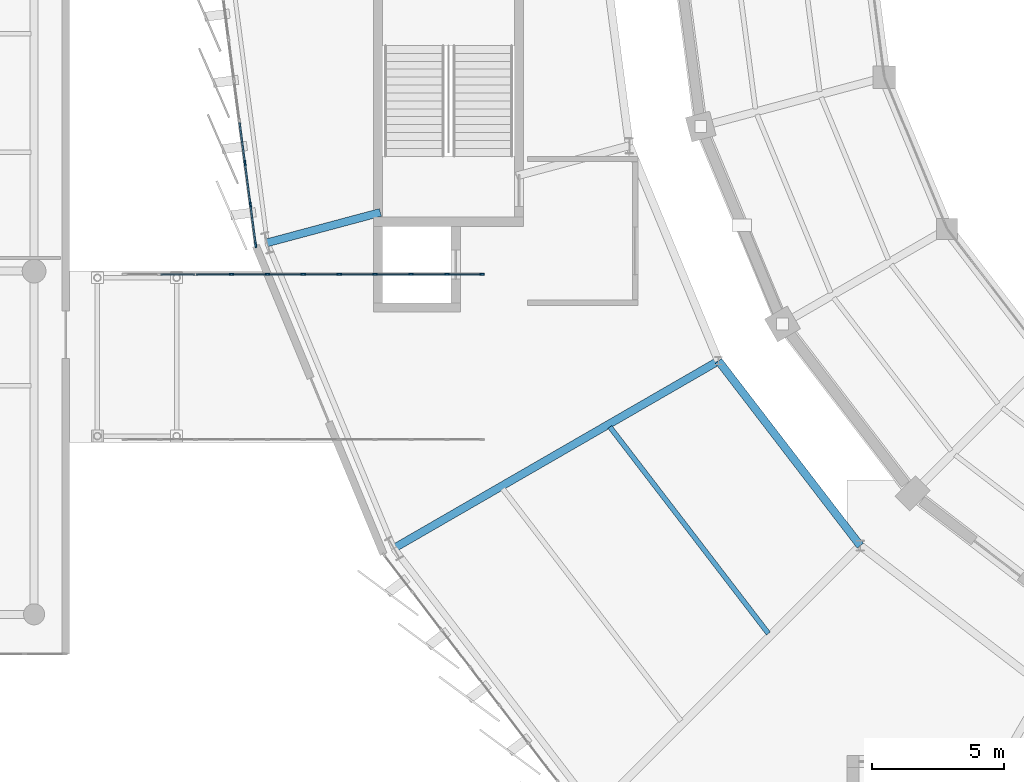
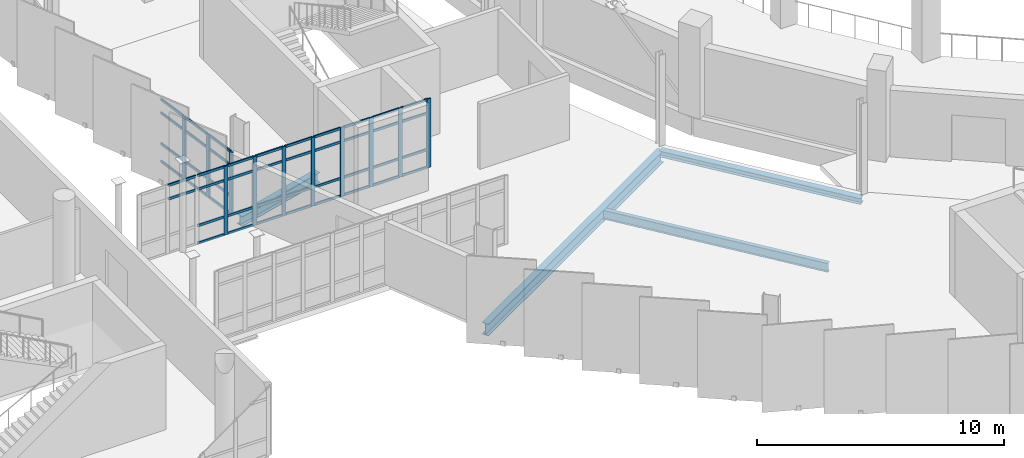
# One storey, part 32 of 125: 57 members, 4 beams, 2 elements without a shape of their own.
"""IFC4 building model written with IfcOpenShell, lengths in metres."""

from ifc_helpers import new_model, si_unit, direction, frame, origin, origin_2d, place, context, subcontext, project, spatial, rectangle, i_section, extrude, material, layer, layer_set, material_profile, profile_set, type_object, element, aggregate, save


model = new_model("IFC4")

# Units and contexts
model_context = context("Model", 3, precision=1e-05, world=origin(), true_north=direction((0.0, 1.0)))
body_context = subcontext(model_context, "Body", "Model", "MODEL_VIEW")
ifc_project = project(units=[si_unit("LENGTHUNIT", "METRE"), si_unit("AREAUNIT", "SQUARE_METRE"), si_unit("VOLUMEUNIT", "CUBIC_METRE"), si_unit("PLANEANGLEUNIT", "RADIAN"), si_unit("MASSUNIT", "GRAM", prefix="KILO")], contexts=[model_context])

# Site, building, storey
site_placement = place(None, origin())
site = spatial("IfcSite", under=ifc_project, at=site_placement, CompositionType="ELEMENT")
building_placement = place(site_placement, origin())
building = spatial("IfcBuilding", under=site, at=building_placement, Name="Sohan Crest Arena", CompositionType="ELEMENT")
storey_placement = place(building_placement, frame((0.0, 0.0, 9.0)))
storey = spatial("IfcBuildingStorey", under=building, at=storey_placement, Name="L02", CompositionType="ELEMENT", Elevation=9.0)

# Curtain wall, members
ifc_material_1 = material(Name="Thermally broken anodised aluminium", Category="aluminium")
ifc_layer_1 = layer(ifc_material_1, 0.18994140625, Name="Thermally broken anodised aluminium")
ifc_layer_set_1 = layer_set([ifc_layer_1], Name="Thermally broken anodised aluminium")
curtain_wall_type_1 = type_object("IfcCurtainWallType", Name="ARC-CW05", PredefinedType="NOTDEFINED", material=ifc_layer_set_1)
curtain_wall_1_placement = place(storey_placement, origin())
curtain_wall_1 = element("IfcCurtainWall", 1, at=curtain_wall_1_placement, inside=storey, type_object=curtain_wall_type_1, Name="Unitised curtain wall CW-228", PredefinedType="NOTDEFINED")
ifc_material_profile_1 = material_profile(ifc_material_1, rectangle(XDim=0.06494140625, YDim=0.179931640625, at=origin_2d()), Name="ALU-MULL 65x180")
ifc_profile_set_1 = profile_set([ifc_material_profile_1], Name="Thermally broken anodised aluminium")
member_type_1 = type_object("IfcMemberType", Name="ARC-CW-ML02", PredefinedType="MULLION", material=ifc_profile_set_1)
member_1_placement = place(storey_placement, frame((50.280029296875, 64.3798828125, 0.0), z_axis=(0.0, 0.0, 1.0), x_axis=(0.0, 1.0, 0.0)))
member_1 = element("IfcMember", 2, at=member_1_placement, type_object=member_type_1, Name="CW-228 mullion 4", PredefinedType="MULLION", context=body_context, shape_type="SweptSolid", body=[
    extrude(rectangle(XDim=0.06494140625, YDim=0.179931640625, at=origin_2d()), origin(), (0.0, 0.0, 1.0), 3.39990234375),
])
member_2_placement = place(storey_placement, frame((51.639892578125, 64.3798828125, 0.0), z_axis=(0.0, 0.0, 1.0), x_axis=(0.0, 1.0, 0.0)))
member_2 = element("IfcMember", 3, at=member_2_placement, type_object=member_type_1, Name="CW-228 mullion 5", PredefinedType="MULLION", context=body_context, shape_type="SweptSolid", body=[
    extrude(rectangle(XDim=0.06494140625, YDim=0.179931640625, at=origin_2d()), origin(), (0.0, 0.0, 1.0), 3.39990234375),
])
member_3_placement = place(storey_placement, frame((53.0, 64.3798828125, 0.0), z_axis=(0.0, 0.0, 1.0), x_axis=(0.0, 1.0, 0.0)))
member_3 = element("IfcMember", 4, at=member_3_placement, type_object=member_type_1, Name="CW-228 mullion 6", PredefinedType="MULLION", context=body_context, shape_type="SweptSolid", body=[
    extrude(rectangle(XDim=0.06494140625, YDim=0.179931640625, at=origin_2d()), origin(), (0.0, 0.0, 1.0), 3.39990234375),
])
member_4_placement = place(storey_placement, frame((54.360107421875, 64.3798828125, 0.0), z_axis=(0.0, 0.0, 1.0), x_axis=(0.0, 1.0, 0.0)))
member_4 = element("IfcMember", 5, at=member_4_placement, type_object=member_type_1, Name="CW-228 mullion 7", PredefinedType="MULLION", context=body_context, shape_type="SweptSolid", body=[
    extrude(rectangle(XDim=0.06494140625, YDim=0.179931640625, at=origin_2d()), origin(), (0.0, 0.0, 1.0), 3.39990234375),
])
member_5_placement = place(storey_placement, frame((55.719970703125, 64.3798828125, 0.0), z_axis=(0.0, 0.0, 1.0), x_axis=(0.0, 1.0, 0.0)))
member_5 = element("IfcMember", 6, at=member_5_placement, type_object=member_type_1, Name="CW-228 mullion 8", PredefinedType="MULLION", context=body_context, shape_type="SweptSolid", body=[
    extrude(rectangle(XDim=0.06494140625, YDim=0.179931640625, at=origin_2d()), origin(), (0.0, 0.0, 1.0), 3.39990234375),
])
member_6_placement = place(storey_placement, frame((57.080078125, 64.3798828125, 0.0), z_axis=(0.0, 0.0, 1.0), x_axis=(0.0, 1.0, 0.0)))
member_6 = element("IfcMember", 7, at=member_6_placement, type_object=member_type_1, Name="CW-228 mullion 9", PredefinedType="MULLION", context=body_context, shape_type="SweptSolid", body=[
    extrude(rectangle(XDim=0.06494140625, YDim=0.179931640625, at=origin_2d()), origin(), (0.0, 0.0, 1.0), 3.39990234375),
])
member_7_placement = place(storey_placement, frame((58.43994140625, 64.3798828125, 0.0), z_axis=(0.0, 0.0, 1.0), x_axis=(0.0, 1.0, 0.0)))
member_7 = element("IfcMember", 8, at=member_7_placement, type_object=member_type_1, Name="CW-228 mullion 10", PredefinedType="MULLION", context=body_context, shape_type="SweptSolid", body=[
    extrude(rectangle(XDim=0.06494140625, YDim=0.179931640625, at=origin_2d()), origin(), (0.0, 0.0, 1.0), 3.39990234375),
])
member_8_placement = place(storey_placement, frame((59.767578125, 64.3798828125, 0.0), z_axis=(0.0, 0.0, 1.0), x_axis=(0.0, 1.0, 0.0)))
member_8 = element("IfcMember", 9, at=member_8_placement, type_object=member_type_1, Name="CW-228 mullion 11", PredefinedType="MULLION", context=body_context, shape_type="SweptSolid", body=[
    extrude(rectangle(XDim=0.06494140625, YDim=0.179931640625, at=origin_2d()), origin(), (0.0, 0.0, 1.0), 3.39990234375),
])

ifc_layer_2 = layer(ifc_material_1, 0.179931640625, Name="Thermally broken anodised aluminium")
ifc_layer_set_2 = layer_set([ifc_layer_2], Name="Thermally broken anodised aluminium")
curtain_wall_type_2 = type_object("IfcCurtainWallType", Name="ARC-CW01", PredefinedType="NOTDEFINED", material=ifc_layer_set_2)
curtain_wall_2_placement = place(storey_placement, origin())
curtain_wall_2 = element("IfcCurtainWall", 10, at=curtain_wall_2_placement, inside=storey, type_object=curtain_wall_type_2, Name="Unitised curtain wall CW-055", PredefinedType="NOTDEFINED")
ifc_material_profile_2 = material_profile(ifc_material_1, rectangle(XDim=0.070068359375, YDim=0.199951171875, at=origin_2d()), Name="ALU-MULL 70x200")
ifc_profile_set_2 = profile_set([ifc_material_profile_2], Name="Thermally broken anodised aluminium")
member_type_2 = type_object("IfcMemberType", Name="ARC-CW-ML03", PredefinedType="MULLION", material=ifc_profile_set_2)
member_9_placement = place(storey_placement, frame((50.788330078125, 68.594970703125, 0.0), z_axis=(0.0, 0.0, 1.0), x_axis=(0.991444066575, 0.130532229177, 0.0)))
member_9 = element("IfcMember", 11, at=member_9_placement, type_object=member_type_2, Name="CW-055 mullion 7", PredefinedType="MULLION", context=body_context, shape_type="SweptSolid", body=[
    extrude(rectangle(XDim=0.070068359375, YDim=0.199951171875, at=origin_2d()), origin(), (0.0, 0.0, 1.0), 3.1201171875),
])
member_10_placement = place(storey_placement, frame((50.99462890625, 67.027587890625, 0.0), z_axis=(0.0, 0.0, 1.0), x_axis=(0.991444066575, 0.130532229177, 0.0)))
member_10 = element("IfcMember", 12, at=member_10_placement, type_object=member_type_2, Name="CW-055 mullion 8", PredefinedType="MULLION", context=body_context, shape_type="SweptSolid", body=[
    extrude(rectangle(XDim=0.070068359375, YDim=0.199951171875, at=origin_2d()), origin(), (0.0, 0.0, 1.0), 3.1201171875),
])
member_11_placement = place(storey_placement, frame((51.196533203125, 65.49462890625, 0.0), z_axis=(0.0, 0.0, 1.0), x_axis=(0.991444066575, 0.130532229177, 0.0)))
member_11 = element("IfcMember", 13, at=member_11_placement, type_object=member_type_2, Name="CW-055 mullion 9", PredefinedType="MULLION", context=body_context, shape_type="SweptSolid", body=[
    extrude(rectangle(XDim=0.070068359375, YDim=0.199951171875, at=origin_2d()), origin(), (0.0, 0.0, 1.0), 3.1201171875),
])
ifc_material_profile_3 = material_profile(ifc_material_1, rectangle(XDim=0.06005859375, YDim=0.1201171875, at=origin_2d()), Name="ALU-TRAN 60x120")
ifc_profile_set_3 = profile_set([ifc_material_profile_3], Name="Thermally broken anodised aluminium")
member_type_3 = type_object("IfcMemberType", Name="ARC-CW-TR01", PredefinedType="USERDEFINED", material=ifc_profile_set_3)
member_12_placement = place(storey_placement, frame((50.58642578125, 70.127685546875, 0.030029296875), z_axis=(0.1305548243, -0.991441091468, 0.0), x_axis=(0.991441091468, 0.1305548243, 0.0)))
member_12 = element("IfcMember", 14, at=member_12_placement, type_object=member_type_3, Name="CW-055 transom 6.1", ObjectType="TRANSOM", PredefinedType="USERDEFINED", context=body_context, shape_type="SweptSolid", body=[
    extrude(rectangle(XDim=0.06005859375, YDim=0.1201171875, at=origin_2d()), origin(), (0.0, 0.0, 1.0), 1.510986328125),
])
member_13_placement = place(storey_placement, frame((50.58642578125, 70.127685546875, 0.89990234375), z_axis=(0.1305548243, -0.991441091468, 0.0), x_axis=(0.991441091468, 0.1305548243, 0.0)))
member_13 = element("IfcMember", 15, at=member_13_placement, type_object=member_type_3, Name="CW-055 transom 6.2", ObjectType="TRANSOM", PredefinedType="USERDEFINED", context=body_context, shape_type="SweptSolid", body=[
    extrude(rectangle(XDim=0.06005859375, YDim=0.1201171875, at=origin_2d()), origin(), (0.0, 0.0, 1.0), 1.510986328125),
])
member_14_placement = place(storey_placement, frame((50.58642578125, 70.127685546875, 2.419921875), z_axis=(0.1305548243, -0.991441091468, 0.0), x_axis=(0.991441091468, 0.1305548243, 0.0)))
member_14 = element("IfcMember", 16, at=member_14_placement, type_object=member_type_3, Name="CW-055 transom 6.3", ObjectType="TRANSOM", PredefinedType="USERDEFINED", context=body_context, shape_type="SweptSolid", body=[
    extrude(rectangle(XDim=0.06005859375, YDim=0.1201171875, at=origin_2d()), origin(), (0.0, 0.0, 1.0), 1.510986328125),
])
member_15_placement = place(storey_placement, frame((50.58642578125, 70.127685546875, 3.090087890625), z_axis=(0.1305548243, -0.991441091468, 0.0), x_axis=(0.991441091468, 0.1305548243, 0.0)))
member_15 = element("IfcMember", 17, at=member_15_placement, type_object=member_type_3, Name="CW-055 transom 6.4", ObjectType="TRANSOM", PredefinedType="USERDEFINED", context=body_context, shape_type="SweptSolid", body=[
    extrude(rectangle(XDim=0.06005859375, YDim=0.1201171875, at=origin_2d()), origin(), (0.0, 0.0, 1.0), 1.510986328125),
])
member_16_placement = place(storey_placement, frame((50.792724609375, 68.560302734375, 0.030029296875), z_axis=(0.1305548243, -0.991441091468, 0.0), x_axis=(0.991441091468, 0.1305548243, 0.0)))
member_16 = element("IfcMember", 18, at=member_16_placement, type_object=member_type_3, Name="CW-055 transom 7.1", ObjectType="TRANSOM", PredefinedType="USERDEFINED", context=body_context, shape_type="SweptSolid", body=[
    extrude(rectangle(XDim=0.06005859375, YDim=0.1201171875, at=origin_2d()), origin(), (0.0, 0.0, 1.0), 1.510986328125),
])
member_17_placement = place(storey_placement, frame((50.792724609375, 68.560302734375, 0.89990234375), z_axis=(0.1305548243, -0.991441091468, 0.0), x_axis=(0.991441091468, 0.1305548243, 0.0)))
member_17 = element("IfcMember", 19, at=member_17_placement, type_object=member_type_3, Name="CW-055 transom 7.2", ObjectType="TRANSOM", PredefinedType="USERDEFINED", context=body_context, shape_type="SweptSolid", body=[
    extrude(rectangle(XDim=0.06005859375, YDim=0.1201171875, at=origin_2d()), origin(), (0.0, 0.0, 1.0), 1.510986328125),
])
member_18_placement = place(storey_placement, frame((50.792724609375, 68.560302734375, 2.419921875), z_axis=(0.1305548243, -0.991441091468, 0.0), x_axis=(0.991441091468, 0.1305548243, 0.0)))
member_18 = element("IfcMember", 20, at=member_18_placement, type_object=member_type_3, Name="CW-055 transom 7.3", ObjectType="TRANSOM", PredefinedType="USERDEFINED", context=body_context, shape_type="SweptSolid", body=[
    extrude(rectangle(XDim=0.06005859375, YDim=0.1201171875, at=origin_2d()), origin(), (0.0, 0.0, 1.0), 1.510986328125),
])
member_19_placement = place(storey_placement, frame((50.792724609375, 68.560302734375, 3.090087890625), z_axis=(0.1305548243, -0.991441091468, 0.0), x_axis=(0.991441091468, 0.1305548243, 0.0)))
member_19 = element("IfcMember", 21, at=member_19_placement, type_object=member_type_3, Name="CW-055 transom 7.4", ObjectType="TRANSOM", PredefinedType="USERDEFINED", context=body_context, shape_type="SweptSolid", body=[
    extrude(rectangle(XDim=0.06005859375, YDim=0.1201171875, at=origin_2d()), origin(), (0.0, 0.0, 1.0), 1.510986328125),
])
member_20_placement = place(storey_placement, frame((50.999267578125, 66.992919921875, 0.030029296875), z_axis=(0.130484458705, -0.991450354802, 0.0), x_axis=(0.991450354802, 0.130484458705, 0.0)))
member_20 = element("IfcMember", 22, at=member_20_placement, type_object=member_type_3, Name="CW-055 transom 8.1", ObjectType="TRANSOM", PredefinedType="USERDEFINED", context=body_context, shape_type="SweptSolid", body=[
    extrude(rectangle(XDim=0.06005859375, YDim=0.1201171875, at=origin_2d()), origin(), (0.0, 0.0, 1.0), 1.476318359375),
])
member_21_placement = place(storey_placement, frame((50.999267578125, 66.992919921875, 0.89990234375), z_axis=(0.130484458705, -0.991450354802, 0.0), x_axis=(0.991450354802, 0.130484458705, 0.0)))
member_21 = element("IfcMember", 23, at=member_21_placement, type_object=member_type_3, Name="CW-055 transom 8.2", ObjectType="TRANSOM", PredefinedType="USERDEFINED", context=body_context, shape_type="SweptSolid", body=[
    extrude(rectangle(XDim=0.06005859375, YDim=0.1201171875, at=origin_2d()), origin(), (0.0, 0.0, 1.0), 1.476318359375),
])
member_22_placement = place(storey_placement, frame((50.999267578125, 66.992919921875, 2.419921875), z_axis=(0.130484458705, -0.991450354802, 0.0), x_axis=(0.991450354802, 0.130484458705, 0.0)))
member_22 = element("IfcMember", 24, at=member_22_placement, type_object=member_type_3, Name="CW-055 transom 8.3", ObjectType="TRANSOM", PredefinedType="USERDEFINED", context=body_context, shape_type="SweptSolid", body=[
    extrude(rectangle(XDim=0.06005859375, YDim=0.1201171875, at=origin_2d()), origin(), (0.0, 0.0, 1.0), 1.476318359375),
])
member_23_placement = place(storey_placement, frame((50.999267578125, 66.992919921875, 3.090087890625), z_axis=(0.130484458705, -0.991450354802, 0.0), x_axis=(0.991450354802, 0.130484458705, 0.0)))
member_23 = element("IfcMember", 25, at=member_23_placement, type_object=member_type_3, Name="CW-055 transom 8.4", ObjectType="TRANSOM", PredefinedType="USERDEFINED", context=body_context, shape_type="SweptSolid", body=[
    extrude(rectangle(XDim=0.06005859375, YDim=0.1201171875, at=origin_2d()), origin(), (0.0, 0.0, 1.0), 1.476318359375),
])
aggregate(curtain_wall_2, [member_9, member_10, member_11, member_12, member_13, member_14, member_15, member_16, member_17, member_18, member_19, member_20, member_21, member_22, member_23])

# Member
member_24_placement = place(storey_placement, frame((47.592529296875, 64.3798828125, 2.699951171875), z_axis=(1.0, 0.0, 0.0), x_axis=(0.0, 1.0, 0.0)))
member_24 = element("IfcMember", 26, at=member_24_placement, type_object=member_type_3, Name="CW-228 transom 2.3", ObjectType="TRANSOM", PredefinedType="USERDEFINED", context=body_context, shape_type="SweptSolid", body=[
    extrude(rectangle(XDim=0.06005859375, YDim=0.1201171875, at=origin_2d()), origin(), (0.0, 0.0, 1.0), 1.294921875),
])

member_25_placement = place(storey_placement, frame((47.592529296875, 64.3798828125, 3.3701171875), z_axis=(1.0, 0.0, 0.0), x_axis=(0.0, 1.0, 0.0)))
member_25 = element("IfcMember", 27, at=member_25_placement, type_object=member_type_3, Name="CW-228 transom 2.4", ObjectType="TRANSOM", PredefinedType="USERDEFINED", context=body_context, shape_type="SweptSolid", body=[
    extrude(rectangle(XDim=0.06005859375, YDim=0.1201171875, at=origin_2d()), origin(), (0.0, 0.0, 1.0), 1.294921875),
])

member_26_placement = place(storey_placement, frame((48.952392578125, 64.3798828125, 0.030029296875), z_axis=(1.0, 0.0, 0.0), x_axis=(0.0, 1.0, 0.0)))
member_26 = element("IfcMember", 28, at=member_26_placement, type_object=member_type_3, Name="CW-228 transom 3.1", ObjectType="TRANSOM", PredefinedType="USERDEFINED", context=body_context, shape_type="SweptSolid", body=[
    extrude(rectangle(XDim=0.06005859375, YDim=0.1201171875, at=origin_2d()), origin(), (0.0, 0.0, 1.0), 1.295166015625),
])

member_27_placement = place(storey_placement, frame((48.952392578125, 64.3798828125, 0.89990234375), z_axis=(1.0, 0.0, 0.0), x_axis=(0.0, 1.0, 0.0)))
member_27 = element("IfcMember", 29, at=member_27_placement, type_object=member_type_3, Name="CW-228 transom 3.2", ObjectType="TRANSOM", PredefinedType="USERDEFINED", context=body_context, shape_type="SweptSolid", body=[
    extrude(rectangle(XDim=0.06005859375, YDim=0.1201171875, at=origin_2d()), origin(), (0.0, 0.0, 1.0), 1.295166015625),
])

member_28_placement = place(storey_placement, frame((48.952392578125, 64.3798828125, 2.699951171875), z_axis=(1.0, 0.0, 0.0), x_axis=(0.0, 1.0, 0.0)))
member_28 = element("IfcMember", 30, at=member_28_placement, type_object=member_type_3, Name="CW-228 transom 3.3", ObjectType="TRANSOM", PredefinedType="USERDEFINED", context=body_context, shape_type="SweptSolid", body=[
    extrude(rectangle(XDim=0.06005859375, YDim=0.1201171875, at=origin_2d()), origin(), (0.0, 0.0, 1.0), 1.295166015625),
])

member_29_placement = place(storey_placement, frame((48.952392578125, 64.3798828125, 3.3701171875), z_axis=(1.0, 0.0, 0.0), x_axis=(0.0, 1.0, 0.0)))
member_29 = element("IfcMember", 31, at=member_29_placement, type_object=member_type_3, Name="CW-228 transom 3.4", ObjectType="TRANSOM", PredefinedType="USERDEFINED", context=body_context, shape_type="SweptSolid", body=[
    extrude(rectangle(XDim=0.06005859375, YDim=0.1201171875, at=origin_2d()), origin(), (0.0, 0.0, 1.0), 1.295166015625),
])

member_30_placement = place(storey_placement, frame((50.3125, 64.3798828125, 0.030029296875), z_axis=(1.0, 0.0, 0.0), x_axis=(0.0, 1.0, 0.0)))
member_30 = element("IfcMember", 32, at=member_30_placement, type_object=member_type_3, Name="CW-228 transom 4.1", ObjectType="TRANSOM", PredefinedType="USERDEFINED", context=body_context, shape_type="SweptSolid", body=[
    extrude(rectangle(XDim=0.06005859375, YDim=0.1201171875, at=origin_2d()), origin(), (0.0, 0.0, 1.0), 1.294921875),
])

member_31_placement = place(storey_placement, frame((50.3125, 64.3798828125, 0.89990234375), z_axis=(1.0, 0.0, 0.0), x_axis=(0.0, 1.0, 0.0)))
member_31 = element("IfcMember", 33, at=member_31_placement, type_object=member_type_3, Name="CW-228 transom 4.2", ObjectType="TRANSOM", PredefinedType="USERDEFINED", context=body_context, shape_type="SweptSolid", body=[
    extrude(rectangle(XDim=0.06005859375, YDim=0.1201171875, at=origin_2d()), origin(), (0.0, 0.0, 1.0), 1.294921875),
])

member_32_placement = place(storey_placement, frame((50.3125, 64.3798828125, 2.699951171875), z_axis=(1.0, 0.0, 0.0), x_axis=(0.0, 1.0, 0.0)))
member_32 = element("IfcMember", 34, at=member_32_placement, type_object=member_type_3, Name="CW-228 transom 4.3", ObjectType="TRANSOM", PredefinedType="USERDEFINED", context=body_context, shape_type="SweptSolid", body=[
    extrude(rectangle(XDim=0.06005859375, YDim=0.1201171875, at=origin_2d()), origin(), (0.0, 0.0, 1.0), 1.294921875),
])

member_33_placement = place(storey_placement, frame((50.3125, 64.3798828125, 3.3701171875), z_axis=(1.0, 0.0, 0.0), x_axis=(0.0, 1.0, 0.0)))
member_33 = element("IfcMember", 35, at=member_33_placement, type_object=member_type_3, Name="CW-228 transom 4.4", ObjectType="TRANSOM", PredefinedType="USERDEFINED", context=body_context, shape_type="SweptSolid", body=[
    extrude(rectangle(XDim=0.06005859375, YDim=0.1201171875, at=origin_2d()), origin(), (0.0, 0.0, 1.0), 1.294921875),
])

member_34_placement = place(storey_placement, frame((51.672607421875, 64.3798828125, 0.030029296875), z_axis=(1.0, 0.0, 0.0), x_axis=(0.0, 1.0, 0.0)))
member_34 = element("IfcMember", 36, at=member_34_placement, type_object=member_type_3, Name="CW-228 transom 5.1", ObjectType="TRANSOM", PredefinedType="USERDEFINED", context=body_context, shape_type="SweptSolid", body=[
    extrude(rectangle(XDim=0.06005859375, YDim=0.1201171875, at=origin_2d()), origin(), (0.0, 0.0, 1.0), 1.294921875),
])

member_35_placement = place(storey_placement, frame((51.672607421875, 64.3798828125, 0.89990234375), z_axis=(1.0, 0.0, 0.0), x_axis=(0.0, 1.0, 0.0)))
member_35 = element("IfcMember", 37, at=member_35_placement, type_object=member_type_3, Name="CW-228 transom 5.2", ObjectType="TRANSOM", PredefinedType="USERDEFINED", context=body_context, shape_type="SweptSolid", body=[
    extrude(rectangle(XDim=0.06005859375, YDim=0.1201171875, at=origin_2d()), origin(), (0.0, 0.0, 1.0), 1.294921875),
])

member_36_placement = place(storey_placement, frame((51.672607421875, 64.3798828125, 2.699951171875), z_axis=(1.0, 0.0, 0.0), x_axis=(0.0, 1.0, 0.0)))
member_36 = element("IfcMember", 38, at=member_36_placement, type_object=member_type_3, Name="CW-228 transom 5.3", ObjectType="TRANSOM", PredefinedType="USERDEFINED", context=body_context, shape_type="SweptSolid", body=[
    extrude(rectangle(XDim=0.06005859375, YDim=0.1201171875, at=origin_2d()), origin(), (0.0, 0.0, 1.0), 1.294921875),
])

member_37_placement = place(storey_placement, frame((51.672607421875, 64.3798828125, 3.3701171875), z_axis=(1.0, 0.0, 0.0), x_axis=(0.0, 1.0, 0.0)))
member_37 = element("IfcMember", 39, at=member_37_placement, type_object=member_type_3, Name="CW-228 transom 5.4", ObjectType="TRANSOM", PredefinedType="USERDEFINED", context=body_context, shape_type="SweptSolid", body=[
    extrude(rectangle(XDim=0.06005859375, YDim=0.1201171875, at=origin_2d()), origin(), (0.0, 0.0, 1.0), 1.294921875),
])

member_38_placement = place(storey_placement, frame((53.032470703125, 64.3798828125, 0.030029296875), z_axis=(1.0, 0.0, 0.0), x_axis=(0.0, 1.0, 0.0)))
member_38 = element("IfcMember", 40, at=member_38_placement, type_object=member_type_3, Name="CW-228 transom 6.1", ObjectType="TRANSOM", PredefinedType="USERDEFINED", context=body_context, shape_type="SweptSolid", body=[
    extrude(rectangle(XDim=0.06005859375, YDim=0.1201171875, at=origin_2d()), origin(), (0.0, 0.0, 1.0), 1.294921875),
])

member_39_placement = place(storey_placement, frame((53.032470703125, 64.3798828125, 0.89990234375), z_axis=(1.0, 0.0, 0.0), x_axis=(0.0, 1.0, 0.0)))
member_39 = element("IfcMember", 41, at=member_39_placement, type_object=member_type_3, Name="CW-228 transom 6.2", ObjectType="TRANSOM", PredefinedType="USERDEFINED", context=body_context, shape_type="SweptSolid", body=[
    extrude(rectangle(XDim=0.06005859375, YDim=0.1201171875, at=origin_2d()), origin(), (0.0, 0.0, 1.0), 1.294921875),
])

member_40_placement = place(storey_placement, frame((53.032470703125, 64.3798828125, 2.699951171875), z_axis=(1.0, 0.0, 0.0), x_axis=(0.0, 1.0, 0.0)))
member_40 = element("IfcMember", 42, at=member_40_placement, type_object=member_type_3, Name="CW-228 transom 6.3", ObjectType="TRANSOM", PredefinedType="USERDEFINED", context=body_context, shape_type="SweptSolid", body=[
    extrude(rectangle(XDim=0.06005859375, YDim=0.1201171875, at=origin_2d()), origin(), (0.0, 0.0, 1.0), 1.294921875),
])

member_41_placement = place(storey_placement, frame((53.032470703125, 64.3798828125, 3.3701171875), z_axis=(1.0, 0.0, 0.0), x_axis=(0.0, 1.0, 0.0)))
member_41 = element("IfcMember", 43, at=member_41_placement, type_object=member_type_3, Name="CW-228 transom 6.4", ObjectType="TRANSOM", PredefinedType="USERDEFINED", context=body_context, shape_type="SweptSolid", body=[
    extrude(rectangle(XDim=0.06005859375, YDim=0.1201171875, at=origin_2d()), origin(), (0.0, 0.0, 1.0), 1.294921875),
])

member_42_placement = place(storey_placement, frame((54.392578125, 64.3798828125, 0.030029296875), z_axis=(1.0, 0.0, 0.0), x_axis=(0.0, 1.0, 0.0)))
member_42 = element("IfcMember", 44, at=member_42_placement, type_object=member_type_3, Name="CW-228 transom 7.1", ObjectType="TRANSOM", PredefinedType="USERDEFINED", context=body_context, shape_type="SweptSolid", body=[
    extrude(rectangle(XDim=0.06005859375, YDim=0.1201171875, at=origin_2d()), origin(), (0.0, 0.0, 1.0), 1.294921875),
])

member_43_placement = place(storey_placement, frame((54.392578125, 64.3798828125, 0.89990234375), z_axis=(1.0, 0.0, 0.0), x_axis=(0.0, 1.0, 0.0)))
member_43 = element("IfcMember", 45, at=member_43_placement, type_object=member_type_3, Name="CW-228 transom 7.2", ObjectType="TRANSOM", PredefinedType="USERDEFINED", context=body_context, shape_type="SweptSolid", body=[
    extrude(rectangle(XDim=0.06005859375, YDim=0.1201171875, at=origin_2d()), origin(), (0.0, 0.0, 1.0), 1.294921875),
])

member_44_placement = place(storey_placement, frame((54.392578125, 64.3798828125, 2.699951171875), z_axis=(1.0, 0.0, 0.0), x_axis=(0.0, 1.0, 0.0)))
member_44 = element("IfcMember", 46, at=member_44_placement, type_object=member_type_3, Name="CW-228 transom 7.3", ObjectType="TRANSOM", PredefinedType="USERDEFINED", context=body_context, shape_type="SweptSolid", body=[
    extrude(rectangle(XDim=0.06005859375, YDim=0.1201171875, at=origin_2d()), origin(), (0.0, 0.0, 1.0), 1.294921875),
])

member_45_placement = place(storey_placement, frame((54.392578125, 64.3798828125, 3.3701171875), z_axis=(1.0, 0.0, 0.0), x_axis=(0.0, 1.0, 0.0)))
member_45 = element("IfcMember", 47, at=member_45_placement, type_object=member_type_3, Name="CW-228 transom 7.4", ObjectType="TRANSOM", PredefinedType="USERDEFINED", context=body_context, shape_type="SweptSolid", body=[
    extrude(rectangle(XDim=0.06005859375, YDim=0.1201171875, at=origin_2d()), origin(), (0.0, 0.0, 1.0), 1.294921875),
])

member_46_placement = place(storey_placement, frame((55.75244140625, 64.3798828125, 0.030029296875), z_axis=(1.0, 0.0, 0.0), x_axis=(0.0, 1.0, 0.0)))
member_46 = element("IfcMember", 48, at=member_46_placement, type_object=member_type_3, Name="CW-228 transom 8.1", ObjectType="TRANSOM", PredefinedType="USERDEFINED", context=body_context, shape_type="SweptSolid", body=[
    extrude(rectangle(XDim=0.06005859375, YDim=0.1201171875, at=origin_2d()), origin(), (0.0, 0.0, 1.0), 1.295166015625),
])

member_47_placement = place(storey_placement, frame((55.75244140625, 64.3798828125, 0.89990234375), z_axis=(1.0, 0.0, 0.0), x_axis=(0.0, 1.0, 0.0)))
member_47 = element("IfcMember", 49, at=member_47_placement, type_object=member_type_3, Name="CW-228 transom 8.2", ObjectType="TRANSOM", PredefinedType="USERDEFINED", context=body_context, shape_type="SweptSolid", body=[
    extrude(rectangle(XDim=0.06005859375, YDim=0.1201171875, at=origin_2d()), origin(), (0.0, 0.0, 1.0), 1.295166015625),
])

member_48_placement = place(storey_placement, frame((55.75244140625, 64.3798828125, 2.699951171875), z_axis=(1.0, 0.0, 0.0), x_axis=(0.0, 1.0, 0.0)))
member_48 = element("IfcMember", 50, at=member_48_placement, type_object=member_type_3, Name="CW-228 transom 8.3", ObjectType="TRANSOM", PredefinedType="USERDEFINED", context=body_context, shape_type="SweptSolid", body=[
    extrude(rectangle(XDim=0.06005859375, YDim=0.1201171875, at=origin_2d()), origin(), (0.0, 0.0, 1.0), 1.295166015625),
])

member_49_placement = place(storey_placement, frame((55.75244140625, 64.3798828125, 3.3701171875), z_axis=(1.0, 0.0, 0.0), x_axis=(0.0, 1.0, 0.0)))
member_49 = element("IfcMember", 51, at=member_49_placement, type_object=member_type_3, Name="CW-228 transom 8.4", ObjectType="TRANSOM", PredefinedType="USERDEFINED", context=body_context, shape_type="SweptSolid", body=[
    extrude(rectangle(XDim=0.06005859375, YDim=0.1201171875, at=origin_2d()), origin(), (0.0, 0.0, 1.0), 1.295166015625),
])

member_50_placement = place(storey_placement, frame((57.112548828125, 64.3798828125, 0.030029296875), z_axis=(1.0, 0.0, 0.0), x_axis=(0.0, 1.0, 0.0)))
member_50 = element("IfcMember", 52, at=member_50_placement, type_object=member_type_3, Name="CW-228 transom 9.1", ObjectType="TRANSOM", PredefinedType="USERDEFINED", context=body_context, shape_type="SweptSolid", body=[
    extrude(rectangle(XDim=0.06005859375, YDim=0.1201171875, at=origin_2d()), origin(), (0.0, 0.0, 1.0), 1.294921875),
])

member_51_placement = place(storey_placement, frame((57.112548828125, 64.3798828125, 0.89990234375), z_axis=(1.0, 0.0, 0.0), x_axis=(0.0, 1.0, 0.0)))
member_51 = element("IfcMember", 53, at=member_51_placement, type_object=member_type_3, Name="CW-228 transom 9.2", ObjectType="TRANSOM", PredefinedType="USERDEFINED", context=body_context, shape_type="SweptSolid", body=[
    extrude(rectangle(XDim=0.06005859375, YDim=0.1201171875, at=origin_2d()), origin(), (0.0, 0.0, 1.0), 1.294921875),
])

member_52_placement = place(storey_placement, frame((57.112548828125, 64.3798828125, 2.699951171875), z_axis=(1.0, 0.0, 0.0), x_axis=(0.0, 1.0, 0.0)))
member_52 = element("IfcMember", 54, at=member_52_placement, type_object=member_type_3, Name="CW-228 transom 9.3", ObjectType="TRANSOM", PredefinedType="USERDEFINED", context=body_context, shape_type="SweptSolid", body=[
    extrude(rectangle(XDim=0.06005859375, YDim=0.1201171875, at=origin_2d()), origin(), (0.0, 0.0, 1.0), 1.294921875),
])

member_53_placement = place(storey_placement, frame((57.112548828125, 64.3798828125, 3.3701171875), z_axis=(1.0, 0.0, 0.0), x_axis=(0.0, 1.0, 0.0)))
member_53 = element("IfcMember", 55, at=member_53_placement, type_object=member_type_3, Name="CW-228 transom 9.4", ObjectType="TRANSOM", PredefinedType="USERDEFINED", context=body_context, shape_type="SweptSolid", body=[
    extrude(rectangle(XDim=0.06005859375, YDim=0.1201171875, at=origin_2d()), origin(), (0.0, 0.0, 1.0), 1.294921875),
])

member_54_placement = place(storey_placement, frame((58.472412109375, 64.3798828125, 0.030029296875), z_axis=(1.0, 0.0, 0.0), x_axis=(0.0, 1.0, 0.0)))
member_54 = element("IfcMember", 56, at=member_54_placement, type_object=member_type_3, Name="CW-228 transom 10.1", ObjectType="TRANSOM", PredefinedType="USERDEFINED", context=body_context, shape_type="SweptSolid", body=[
    extrude(rectangle(XDim=0.06005859375, YDim=0.1201171875, at=origin_2d()), origin(), (0.0, 0.0, 1.0), 1.2626953125),
])

member_55_placement = place(storey_placement, frame((58.472412109375, 64.3798828125, 0.89990234375), z_axis=(1.0, 0.0, 0.0), x_axis=(0.0, 1.0, 0.0)))
member_55 = element("IfcMember", 57, at=member_55_placement, type_object=member_type_3, Name="CW-228 transom 10.2", ObjectType="TRANSOM", PredefinedType="USERDEFINED", context=body_context, shape_type="SweptSolid", body=[
    extrude(rectangle(XDim=0.06005859375, YDim=0.1201171875, at=origin_2d()), origin(), (0.0, 0.0, 1.0), 1.2626953125),
])

member_56_placement = place(storey_placement, frame((58.472412109375, 64.3798828125, 2.699951171875), z_axis=(1.0, 0.0, 0.0), x_axis=(0.0, 1.0, 0.0)))
member_56 = element("IfcMember", 58, at=member_56_placement, type_object=member_type_3, Name="CW-228 transom 10.3", ObjectType="TRANSOM", PredefinedType="USERDEFINED", context=body_context, shape_type="SweptSolid", body=[
    extrude(rectangle(XDim=0.06005859375, YDim=0.1201171875, at=origin_2d()), origin(), (0.0, 0.0, 1.0), 1.2626953125),
])

member_57_placement = place(storey_placement, frame((58.472412109375, 64.3798828125, 3.3701171875), z_axis=(1.0, 0.0, 0.0), x_axis=(0.0, 1.0, 0.0)))
member_57 = element("IfcMember", 59, at=member_57_placement, type_object=member_type_3, Name="CW-228 transom 10.4", ObjectType="TRANSOM", PredefinedType="USERDEFINED", context=body_context, shape_type="SweptSolid", body=[
    extrude(rectangle(XDim=0.06005859375, YDim=0.1201171875, at=origin_2d()), origin(), (0.0, 0.0, 1.0), 1.2626953125),
])

aggregate(curtain_wall_1, [member_1, member_2, member_3, member_4, member_5, member_6, member_7, member_8, member_24, member_25, member_26, member_27, member_28, member_29, member_30, member_31, member_32, member_33, member_34, member_35, member_36, member_37, member_38, member_39, member_40, member_41, member_42, member_43, member_44, member_45, member_46, member_47, member_48, member_49, member_50, member_51, member_52, member_53, member_54, member_55, member_56, member_57])

# Beams
ifc_material_2 = material(Name="Steel S355", Category="steel")
ifc_material_profile_4 = material_profile(ifc_material_2, i_section(OverallWidth=0.18994140625, OverallDepth=0.449951171875, WebThickness=0.009521484375, FlangeThickness=0.0146484375, at=origin_2d()), Name="IPE 450")
ifc_profile_set_4 = profile_set([ifc_material_profile_4], Name="Steel S355")
beam_type_1 = type_object("IfcBeamType", Name="STR-BM-B04", PredefinedType="JOIST", material=ifc_profile_set_4)
beam_1_placement = place(storey_placement, frame((64.614013671875, 58.59912109375, -0.47509765625), z_axis=(0.608739091659, -0.793370479843, 0.0), x_axis=(0.793370479843, 0.608739091659, 0.0)))
element("IfcBeam", 60, at=beam_1_placement, inside=storey, type_object=beam_type_1, Name="Structural beam J-L02-1279", PredefinedType="JOIST", context=body_context, shape_type="SweptSolid", body=[
    extrude(i_section(OverallWidth=0.18994140625, OverallDepth=0.449951171875, WebThickness=0.009521484375, FlangeThickness=0.0146484375, at=origin_2d()), origin(), (0.0, 0.0, 1.0), 9.864501953125),
])
ifc_material_profile_5 = material_profile(ifc_material_2, i_section(OverallWidth=0.300048828125, OverallDepth=0.590087890625, WebThickness=0.012939453125, FlangeThickness=0.02490234375, at=origin_2d()), Name="HEA 600")
ifc_profile_set_5 = profile_set([ifc_material_profile_5], Name="Steel S355")
beam_type_2 = type_object("IfcBeamType", Name="STR-BM-B11", PredefinedType="BEAM", material=ifc_profile_set_5)
beam_2_placement = place(storey_placement, frame((68.72802734375, 61.10009765625, -0.544921875), z_axis=(-0.86601465089, -0.500018624098, 0.0), x_axis=(0.500018624098, -0.86601465089, 0.0)))
element("IfcBeam", 61, at=beam_2_placement, inside=storey, type_object=beam_type_2, Name="Structural beam G-L02-1276", PredefinedType="BEAM", context=body_context, shape_type="SweptSolid", body=[
    extrude(i_section(OverallWidth=0.300048828125, OverallDepth=0.590087890625, WebThickness=0.012939453125, FlangeThickness=0.02490234375, at=origin_2d()), origin(), (0.0, 0.0, 1.0), 14.19970703125),
])
ifc_material_profile_6 = material_profile(ifc_material_2, i_section(OverallWidth=0.300048828125, OverallDepth=0.300048828125, WebThickness=0.010986328125, FlangeThickness=0.01904296875, at=origin_2d()), Name="HEB 300")
ifc_profile_set_6 = profile_set([ifc_material_profile_6], Name="Steel S355")
beam_type_3 = type_object("IfcBeamType", Name="STR-BM-B12", PredefinedType="BEAM", material=ifc_profile_set_6)
beam_3_placement = place(storey_placement, frame((68.72802734375, 61.10009765625, -0.39990234375), z_axis=(0.608817165336, -0.793310569192, 0.0), x_axis=(0.793310569192, 0.608817165336, 0.0)))
element("IfcBeam", 62, at=beam_3_placement, inside=storey, type_object=beam_type_3, Name="Structural beam G-L02-1277", PredefinedType="BEAM", context=body_context, shape_type="SweptSolid", body=[
    extrude(i_section(OverallWidth=0.300048828125, OverallDepth=0.300048828125, WebThickness=0.010986328125, FlangeThickness=0.01904296875, at=origin_2d()), origin(), (0.0, 0.0, 1.0), 8.82373046875),
])
ifc_material_profile_7 = material_profile(ifc_material_2, i_section(OverallWidth=0.300048828125, OverallDepth=0.5, WebThickness=0.014404296875, FlangeThickness=0.028076171875, at=origin_2d()), Name="HEB 500")
ifc_profile_set_7 = profile_set([ifc_material_profile_7], Name="Steel S355")
beam_type_4 = type_object("IfcBeamType", Name="STR-BM-B14", PredefinedType="BEAM", material=ifc_profile_set_7)
beam_4_placement = place(storey_placement, frame((55.919921875, 66.72509765625, -0.5), z_axis=(-0.965907995401, -0.258885581716, 0.0), x_axis=(0.258885581716, -0.965907995401, 0.0)))
element("IfcBeam", 63, at=beam_4_placement, inside=storey, type_object=beam_type_4, Name="Structural beam G-L02-1273", PredefinedType="BEAM", context=body_context, shape_type="SweptSolid", body=[
    extrude(i_section(OverallWidth=0.300048828125, OverallDepth=0.5, WebThickness=0.014404296875, FlangeThickness=0.028076171875, at=origin_2d()), origin(), (0.0, 0.0, 1.0), 4.43505859375),
])

save(model, "model.ifc")
